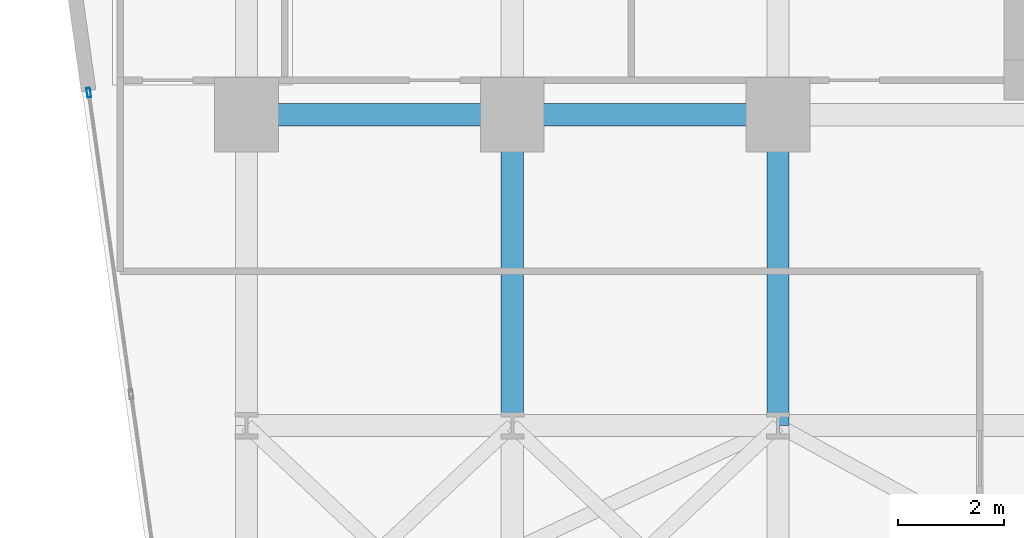
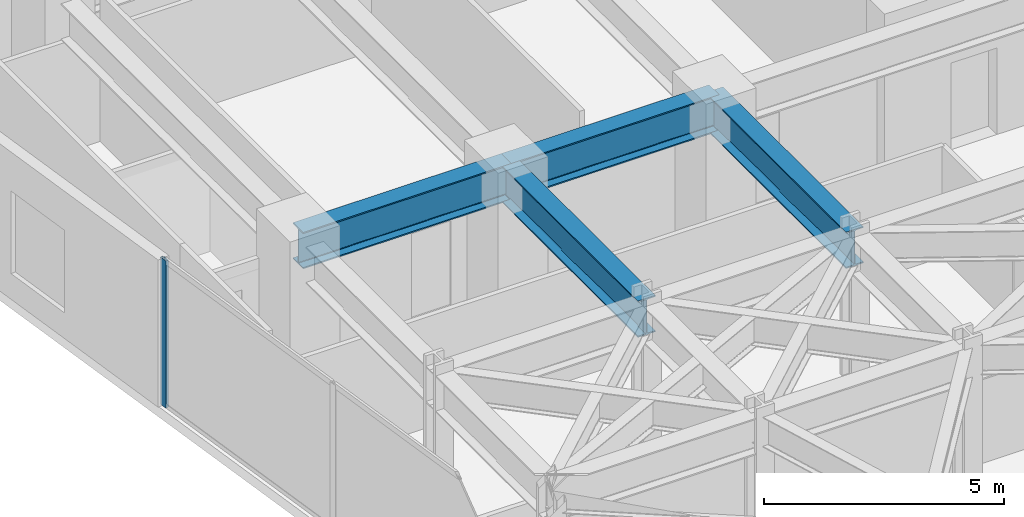
# One storey, part 17 of 24: 4 beams, 1 member, 1 element without a shape of its own.
"""IFC4 building model written with IfcOpenShell, lengths in metres."""

import ifcopenshell
import ifcopenshell.guid

model = None  # the IFC model being written
_history = None  # IfcOwnerHistory: only IFC2X3 demands one
_inside = {}  # id of a spatial element -> (the spatial element, [elements in it])
_under = {}  # id of a project, library or spatial element -> (it, [spatial elements below it])
_declared = {}  # id of a project -> (the project, [libraries it declares])
_typed = {}  # id of a type object -> (the type object, [elements of that type])
_made_of = {}  # id of a material, layer set ... -> (it, [elements and type objects made of it])


def new_model(schema):
    """Start an empty IFC model of exactly this schema.

    Asked for "IFC4X3", IfcOpenShell would pick the latest addendum, in which some entities
    have other attributes; the version numbers below select the first issue.
    IFC2X3 requires an IfcOwnerHistory on every rooted entity: one is made here for all.
    """
    global model, _history
    if schema == "IFC4X3":
        model = ifcopenshell.file(schema_version=(4, 3, 0, 0))
    else:
        model = ifcopenshell.file(schema=schema)
    _inside.clear()
    _under.clear()
    _declared.clear()
    _typed.clear()
    _made_of.clear()
    _history = None
    if model.schema == "IFC2X3":
        org = make("IfcOrganization", Name="unknown")
        user = make(
            "IfcPersonAndOrganization",
            ThePerson=make("IfcPerson", FamilyName="unknown"),
            TheOrganization=org,
        )
        app = make(
            "IfcApplication",
            ApplicationDeveloper=org,
            Version="unknown",
            ApplicationFullName="unknown",
            ApplicationIdentifier="unknown",
        )
        _history = make(
            "IfcOwnerHistory",
            OwningUser=user,
            OwningApplication=app,
            ChangeAction="ADDED",
            CreationDate=0,
        )
    return model


def make(cls, **values):
    """One entity of the class cls with the attributes given. An attribute that is None is left unset."""
    return model.create_entity(
        cls, **{name: value for name, value in values.items() if value is not None}
    )


def rooted(cls, **values):
    """An entity with a GlobalId (a new one), such as an element, a storey or a relation."""
    return make(cls, GlobalId=ifcopenshell.guid.new(), OwnerHistory=_history, **values)


def si_unit(unit_type, name, prefix=None):
    """IfcSIUnit, for example si_unit("LENGTHUNIT", "METRE", prefix="MILLI")."""
    return make("IfcSIUnit", UnitType=unit_type, Prefix=prefix, Name=name)


def assignment(units):
    """IfcUnitAssignment: the units of a project."""
    return None if units is None else make("IfcUnitAssignment", Units=units)


def point(xyz):
    """IfcCartesianPoint."""
    return None if xyz is None else make("IfcCartesianPoint", Coordinates=xyz)


def direction(xyz):
    """IfcDirection."""
    return None if xyz is None else make("IfcDirection", DirectionRatios=xyz)


def frame(location, z_axis=None, x_axis=None):
    """IfcAxis2Placement3D, a coordinate frame: its origin and axes. An axis left out is left unset."""
    return make(
        "IfcAxis2Placement3D",
        Location=point(location),
        Axis=direction(z_axis),
        RefDirection=direction(x_axis),
    )


def frame_2d(location, x_axis=None):
    """IfcAxis2Placement2D, a coordinate frame in the plane: its origin and x axis."""
    return make(
        "IfcAxis2Placement2D", Location=point(location), RefDirection=direction(x_axis)
    )


def origin():
    """The frame at (0, 0, 0) with its axes left unset."""
    return frame((0.0, 0.0, 0.0))


def origin_2d():
    """The frame at (0, 0) in the plane with its x axis left unset."""
    return frame_2d((0.0, 0.0))


def place(relative_to, where):
    """IfcLocalPlacement: puts the frame where relative to a parent placement (None: the world)."""
    return make(
        "IfcLocalPlacement", PlacementRelTo=relative_to, RelativePlacement=where
    )


def context(
    kind, dimensions, precision=None, world=None, true_north=None, identifier=None
):
    """IfcGeometricRepresentationContext, for example the 3D "Model" context."""
    return make(
        "IfcGeometricRepresentationContext",
        ContextIdentifier=identifier,
        ContextType=kind,
        CoordinateSpaceDimension=dimensions,
        Precision=precision,
        WorldCoordinateSystem=world,
        TrueNorth=true_north,
    )


def subcontext(parent, identifier, kind, view, scale=None):
    """IfcGeometricRepresentationSubContext, for example "Body" below "Model"."""
    return make(
        "IfcGeometricRepresentationSubContext",
        ContextIdentifier=identifier,
        ContextType=kind,
        ParentContext=parent,
        TargetScale=scale,
        TargetView=view,
    )


def project(units=None, contexts=None):
    """IfcProject with its units and contexts."""
    return rooted(
        "IfcProject",
        Name="project",
        RepresentationContexts=contexts,
        UnitsInContext=assignment(units),
    )


def spatial(cls, under=None, at=None, **own):
    """A site, building, storey or space (cls), placed at a placement, below another one or the project."""
    s = rooted(cls, ObjectPlacement=at, **own)
    if under is not None:
        _under.setdefault(under.id(), (under, []))[1].append(s)
    return s


def profile(cls, at=None, kind="AREA", **sizes):
    """A parametric profile (cls). Its sizes go by their IFC names, for example OverallWidth=200.0."""
    return make(cls, ProfileType=kind, Position=at, **sizes)


def hollow_rectangle(**sizes):
    """IfcRectangleHollowProfileDef."""
    return profile("IfcRectangleHollowProfileDef", **sizes)


def i_section(**sizes):
    """IfcIShapeProfileDef."""
    return profile("IfcIShapeProfileDef", **sizes)


def extrude(swept, where, along, depth):
    """IfcExtrudedAreaSolid: the profile swept, set in the frame where, extruded along a direction by depth."""
    return make(
        "IfcExtrudedAreaSolid",
        SweptArea=swept,
        Position=where,
        ExtrudedDirection=direction(along),
        Depth=depth,
    )


def shape(context_of_items, identifier, shape_type, items):
    """IfcShapeRepresentation: the items that make up one representation, for example the "Body"."""
    return make(
        "IfcShapeRepresentation",
        ContextOfItems=context_of_items,
        RepresentationIdentifier=identifier,
        RepresentationType=shape_type,
        Items=items,
    )


def material(Name=None, Category=None):
    """IfcMaterial."""
    return make("IfcMaterial", Name=Name, Category=Category)


def layer(
    of_material, thickness, ventilated=None, Name=None, Category=None, Priority=None
):
    """IfcMaterialLayer: one layer of a wall or slab, of a material (None: an air gap)."""
    return make(
        "IfcMaterialLayer",
        Material=of_material,
        LayerThickness=thickness,
        IsVentilated=ventilated,
        Name=Name,
        Category=Category,
        Priority=Priority,
    )


def layer_set(layers, Name=None):
    """IfcMaterialLayerSet."""
    return make("IfcMaterialLayerSet", MaterialLayers=layers, LayerSetName=Name)


def material_profile(
    of_material, cross_section, Name=None, Category=None, Priority=None
):
    """IfcMaterialProfile: a cross section and its material."""
    return make(
        "IfcMaterialProfile",
        Name=Name,
        Material=of_material,
        Profile=cross_section,
        Priority=Priority,
        Category=Category,
    )


def profile_set(profiles, Name=None, composite=None):
    """IfcMaterialProfileSet."""
    return make(
        "IfcMaterialProfileSet",
        Name=Name,
        MaterialProfiles=profiles,
        CompositeProfile=composite,
    )


def made_of(thing, what):
    """Note that an element or type object is made of a material, layer set ...; save() writes the relation."""
    if what is not None:
        _made_of.setdefault(what.id(), (what, []))[1].append(thing)
    return thing


def type_object(cls, material=None, **own):
    """A type object (cls), such as IfcWallType, which elements share."""
    return made_of(rooted(cls, **own), material)


def element(
    cls,
    number,
    at=None,
    inside=None,
    cuts=None,
    type_object=None,
    material=None,
    context=None,
    identifier="Body",
    shape_type=None,
    held_by="IfcProductDefinitionShape",
    body=None,
    shapes=None,
    **own,
):
    """One element of the class cls, such as IfcWall. Its Tag is "e" and its number.

    at: its placement. inside: the storey or other place that contains it. cuts: it is an
    opening in that element (IfcRelVoidsElement). A single representation is given by context,
    identifier, shape_type and body (its items); several are given by shapes. held_by: the class
    of the entity that holds the representations. save() writes the other relations.
    """
    e = rooted(cls, Tag="e%d" % number, ObjectPlacement=at, **own)
    if body is not None:
        shapes = [shape(context, identifier, shape_type, body)]
    if shapes is not None:
        e.Representation = make(held_by, Representations=shapes)
    if inside is not None:
        _inside.setdefault(inside.id(), (inside, []))[1].append(e)
    if cuts is not None:
        rooted(
            "IfcRelVoidsElement", RelatingBuildingElement=cuts, RelatedOpeningElement=e
        )
    if type_object is not None:
        _typed.setdefault(type_object.id(), (type_object, []))[1].append(e)
    return made_of(e, material)


def aggregate(whole, parts):
    """IfcRelAggregates: a whole, such as a stair, and the parts it consists of."""
    return rooted("IfcRelAggregates", RelatingObject=whole, RelatedObjects=parts)


def save(model, path):
    """Write the relations noted so far, then the file.

    IfcRelAggregates (storeys below a building ...), IfcRelContainedInSpatialStructure (elements
    in a storey), IfcRelDefinesByType, IfcRelAssociatesMaterial and IfcRelDeclares: one each for
    every whole, place, type object, material and project.
    """
    for whole, parts in _under.values():
        aggregate(whole, parts)
    for where, things in _inside.values():
        rooted(
            "IfcRelContainedInSpatialStructure",
            RelatedElements=things,
            RelatingStructure=where,
        )
    for kind, things in _typed.values():
        rooted("IfcRelDefinesByType", RelatedObjects=things, RelatingType=kind)
    for what, things in _made_of.values():
        rooted("IfcRelAssociatesMaterial", RelatedObjects=things, RelatingMaterial=what)
    for by, libraries in _declared.values():
        rooted("IfcRelDeclares", RelatingContext=by, RelatedDefinitions=libraries)
    model.write(path)


model = new_model("IFC4")

# Units and contexts
model_context = context("Model", 3, precision=1e-05, world=origin(), true_north=direction((0.0, 1.0)))
body_context = subcontext(model_context, "Body", "Model", "MODEL_VIEW")
ifc_project = project(units=[si_unit("LENGTHUNIT", "METRE"), si_unit("AREAUNIT", "SQUARE_METRE"), si_unit("VOLUMEUNIT", "CUBIC_METRE"), si_unit("PLANEANGLEUNIT", "RADIAN"), si_unit("MASSUNIT", "GRAM", prefix="KILO")], contexts=[model_context])

# Site, building, storey
site_placement = place(None, origin())
site = spatial("IfcSite", under=ifc_project, at=site_placement, CompositionType="ELEMENT")
building_placement = place(site_placement, origin())
building = spatial("IfcBuilding", under=site, at=building_placement, Name="Kravanh Interchange Tower", CompositionType="ELEMENT")
storey_placement = place(building_placement, frame((0.0, 0.0, 77.5)))
storey = spatial("IfcBuildingStorey", under=building, at=storey_placement, Name="L18", CompositionType="ELEMENT", Elevation=77.5)

# Curtain wall, member
ifc_material_1 = material(Name="Anodised Bronze Aluminium", Category="aluminium")
ifc_layer = layer(ifc_material_1, 0.179931640625)
ifc_layer_set = layer_set([ifc_layer], Name="Unitised Curtain Wall System CW-Z1 Lower Office")
curtain_wall_type = type_object("IfcCurtainWallType", Name="Unitised Curtain Wall System CW-Z1 Lower Office", PredefinedType="NOTDEFINED", material=ifc_layer_set)
curtain_wall_placement = place(storey_placement, origin())
curtain_wall = element("IfcCurtainWall", 1, at=curtain_wall_placement, inside=storey, type_object=curtain_wall_type, Name="L18 Unitised Curtain Wall CW-L18-01", PredefinedType="NOTDEFINED")
ifc_material_2 = material(Name="Anodised Bronze Aluminium", Category="aluminium")
ifc_material_profile_1 = material_profile(ifc_material_2, hollow_rectangle(XDim=0.070068359375, YDim=0.179931640625, WallThickness=0.00390625, at=origin_2d()), Name="ALU70X180X4")
ifc_profile_set_1 = profile_set([ifc_material_profile_1], Name="Anodised Bronze Aluminium")
member_type = type_object("IfcMemberType", Name="Curtain Wall Mullion ALU70X180X4 Bronze", PredefinedType="MULLION", material=ifc_profile_set_1)
member_placement = place(storey_placement, frame((5.6298828125, 37.765380859375, 0.0), z_axis=(0.0, 0.0, 1.0), x_axis=(-0.990267585682, -0.139176538065, 0.0)))
member = element("IfcMember", 2, at=member_placement, type_object=member_type, Name="CW-Z1 mullion 7", PredefinedType="MULLION", context=body_context, shape_type="SweptSolid", body=[
    extrude(hollow_rectangle(XDim=0.070068359375, YDim=0.179931640625, WallThickness=0.00390625, at=origin_2d()), origin(), (0.0, 0.0, 1.0), 3.739990234375),
])
aggregate(curtain_wall, [member])

# Beams
ifc_material_3 = material(Name="Structural Steel S355", Category="steel")
ifc_material_profile_2 = material_profile(ifc_material_3, i_section(OverallWidth=0.41796875, OverallDepth=0.927001953125, WebThickness=0.019287109375, FlangeThickness=0.031982421875, FilletRadius=0.028076171875, at=origin_2d()), Name="W36X231")
ifc_profile_set_2 = profile_set([ifc_material_profile_2], Name="Structural Steel S355")
beam_type = type_object("IfcBeamType", Name="Floor Beam W36X231 Structural Steel S355", PredefinedType="BEAM", material=ifc_profile_set_2)
beam_1_placement = place(storey_placement, frame((18.60009765625, 37.35009765625, 3.276611328125), z_axis=(-1.0, 0.0, 0.0), x_axis=(0.0, -1.0, 0.0)))
element("IfcBeam", 3, at=beam_1_placement, inside=storey, type_object=beam_type, Name="L18 Primary Floor Girder 28", PredefinedType="BEAM", context=body_context, shape_type="SweptSolid", body=[
    extrude(i_section(OverallWidth=0.41796875, OverallDepth=0.927001953125, WebThickness=0.019287109375, FlangeThickness=0.031982421875, FilletRadius=0.028076171875, at=origin_2d()), origin(), (0.0, 0.0, 1.0), 5.0),
])
beam_2_placement = place(storey_placement, frame((18.60009765625, 37.35009765625, 3.276611328125), z_axis=(0.0, -1.0, 0.0), x_axis=(1.0, 0.0, 0.0)))
element("IfcBeam", 4, at=beam_2_placement, inside=storey, type_object=beam_type, Name="L18 Primary Floor Girder 29", PredefinedType="BEAM", context=body_context, shape_type="SweptSolid", body=[
    extrude(i_section(OverallWidth=0.41796875, OverallDepth=0.927001953125, WebThickness=0.019287109375, FlangeThickness=0.031982421875, FilletRadius=0.028076171875, at=origin_2d()), origin(), (0.0, 0.0, 1.0), 5.85009765625),
])
beam_3_placement = place(storey_placement, frame((13.60009765625, 37.35009765625, 3.276611328125), z_axis=(-1.0, 0.0, 0.0), x_axis=(0.0, -1.0, 0.0)))
element("IfcBeam", 5, at=beam_3_placement, inside=storey, type_object=beam_type, Name="L18 Primary Floor Girder 32", PredefinedType="BEAM", context=body_context, shape_type="SweptSolid", body=[
    extrude(i_section(OverallWidth=0.41796875, OverallDepth=0.927001953125, WebThickness=0.019287109375, FlangeThickness=0.031982421875, FilletRadius=0.028076171875, at=origin_2d()), origin(), (0.0, 0.0, 1.0), 5.0),
])
beam_4_placement = place(storey_placement, frame((13.60009765625, 37.35009765625, 3.276611328125), z_axis=(0.0, -1.0, 0.0), x_axis=(1.0, 0.0, 0.0)))
element("IfcBeam", 6, at=beam_4_placement, inside=storey, type_object=beam_type, Name="L18 Primary Floor Girder 33", PredefinedType="BEAM", context=body_context, shape_type="SweptSolid", body=[
    extrude(i_section(OverallWidth=0.41796875, OverallDepth=0.927001953125, WebThickness=0.019287109375, FlangeThickness=0.031982421875, FilletRadius=0.028076171875, at=origin_2d()), origin(), (0.0, 0.0, 1.0), 5.85009765625),
])

save(model, "model.ifc")
